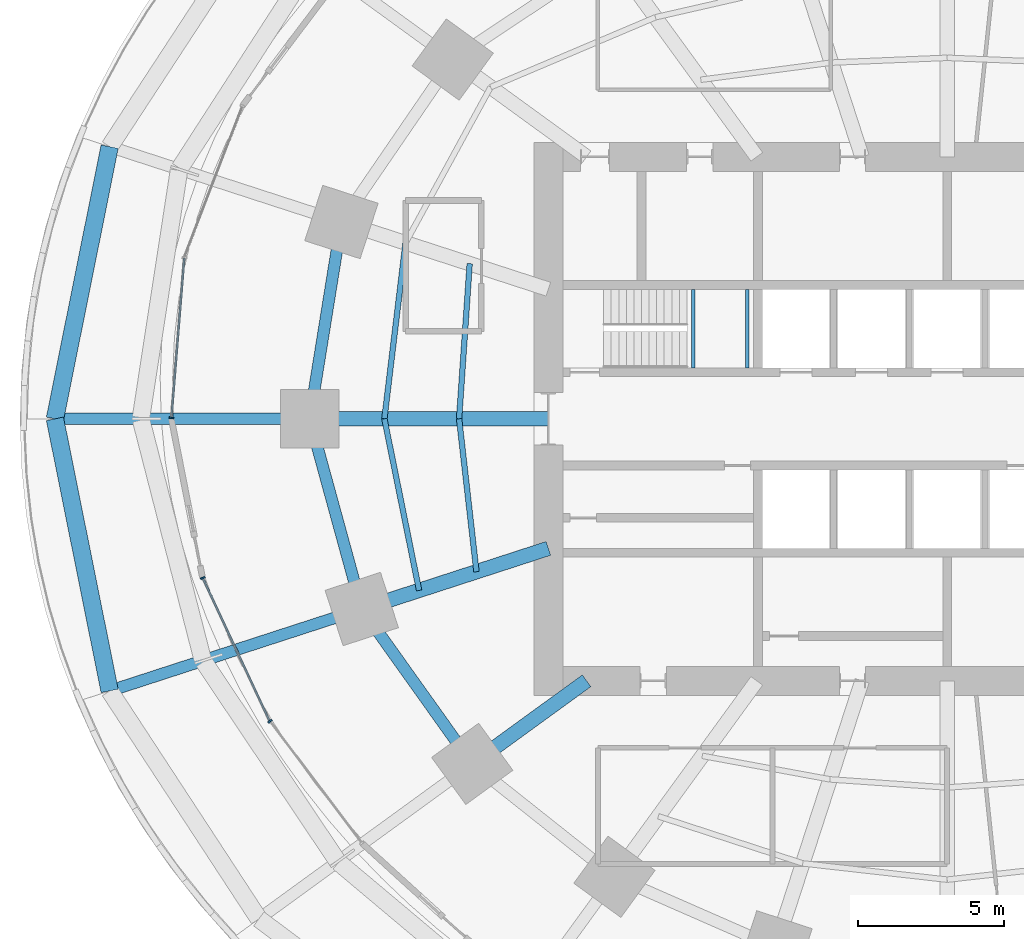
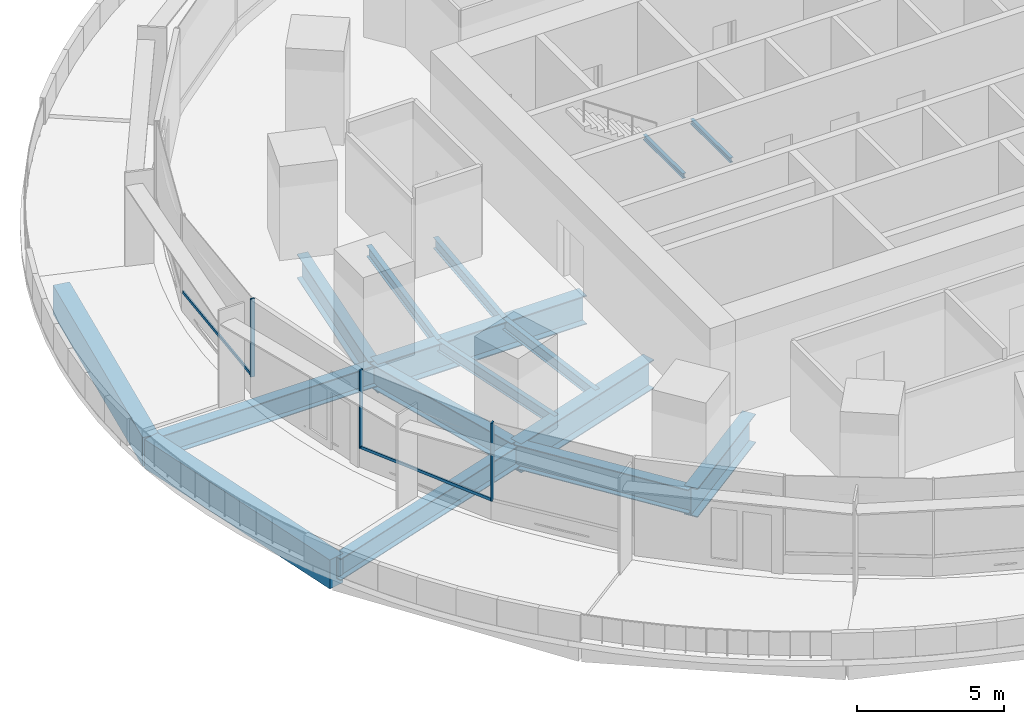
# One storey, part 3 of 20: 16 beams, 5 members, 2 elements without a shape of their own.
"""IFC4 building model written with IfcOpenShell, lengths in metres."""

from ifc_helpers import new_model, si_unit, direction, frame, origin, origin_2d, place, context, subcontext, project, spatial, rectangle, i_section, extrude, material, material_profile, profile_set, type_object, element, aggregate, save


model = new_model("IFC4")

# Units and contexts
model_context = context("Model", 3, precision=1e-05, world=origin(), true_north=direction((0.0, 1.0)))
body_context = subcontext(model_context, "Body", "Model", "MODEL_VIEW")
ifc_project = project(units=[si_unit("LENGTHUNIT", "METRE"), si_unit("AREAUNIT", "SQUARE_METRE"), si_unit("VOLUMEUNIT", "CUBIC_METRE"), si_unit("PLANEANGLEUNIT", "RADIAN"), si_unit("MASSUNIT", "GRAM", prefix="KILO")], contexts=[model_context])

# Site, building, storey
site_placement = place(None, origin())
site = spatial("IfcSite", under=ifc_project, at=site_placement, CompositionType="ELEMENT")
building_placement = place(site_placement, origin())
building = spatial("IfcBuilding", under=site, at=building_placement, Name="Marramba Exchange Tower", CompositionType="ELEMENT")
storey_placement = place(building_placement, frame((0.0, 0.0, 19.60009765625)))
storey = spatial("IfcBuildingStorey", under=building, at=storey_placement, Name="L04", CompositionType="ELEMENT", Elevation=19.60009765625)

# Beams
ifc_material_1 = material(Name="Concrete N50", Category="concrete")
ifc_material_profile_1 = material_profile(ifc_material_1, rectangle(XDim=0.60009765625, YDim=1.199951171875, at=origin_2d()), Name="RC 600x1200")
ifc_profile_set_1 = profile_set([ifc_material_profile_1], Name="Concrete N50")
beam_type_1 = type_object("IfcBeamType", Name="Edge beam RC 600x1200 N50", PredefinedType="SPANDREL", material=ifc_profile_set_1)
for number, where, z_axis, x_axis, name in (
    (1, (-28.770263671875, 9.34814453125, -0.85009765625), (-0.197125420847, -0.980378278246, 0.0), (0.980378278246, -0.197125420847, 0.0), "Edge beam L04 P3C10"),
    (2, (-30.64990234375, 0.0, -0.85009765625), (0.197125420847, -0.980378278246, 0.0), (0.980378278246, 0.197125420847, 0.0), "Edge beam L04 P3C11"),
):
    element("IfcBeam", number, at=place(storey_placement, frame(where, z_axis=z_axis, x_axis=x_axis)), inside=storey, type_object=beam_type_1, Name=name, PredefinedType="SPANDREL", context=body_context, shape_type="SweptSolid", body=[
        extrude(rectangle(XDim=0.60009765625, YDim=1.199951171875, at=origin_2d()), origin(), (0.0, 0.0, 1.0), 9.53515625),
    ])
ifc_material_2 = material(Name="Steel AS/NZS 3679.1 grade 300", Category="steel")
ifc_material_profile_2 = material_profile(ifc_material_2, i_section(OverallWidth=0.18994140625, OverallDepth=0.4541015625, WebThickness=0.008544921875, FlangeThickness=0.0126953125, FilletRadius=0.011474609375, at=origin_2d()), Name="460UB67.1")
ifc_profile_set_2 = profile_set([ifc_material_profile_2], Name="Steel AS/NZS 3679.1 grade 300")
beam_type_2 = type_object("IfcBeamType", Name="Floor joist 460UB67.1", PredefinedType="JOIST", material=ifc_profile_set_2)
beam_1_placement = place(storey_placement, frame((-16.40283203125, 5.32958984375, -0.427001953125), z_axis=(-0.068096259546, -0.99767875563, 0.0), x_axis=(0.99767875563, -0.068096259546, 0.0)))
element("IfcBeam", 3, at=beam_1_placement, inside=storey, type_object=beam_type_2, Name="Joist L04 bay 10 row 1", PredefinedType="JOIST", context=body_context, shape_type="SweptSolid", body=[
    extrude(i_section(OverallWidth=0.18994140625, OverallDepth=0.4541015625, WebThickness=0.008544921875, FlangeThickness=0.0126953125, FilletRadius=0.011474609375, at=origin_2d()), origin(), (0.0, 0.0, 1.0), 5.342041015625),
])
beam_2_placement = place(storey_placement, frame((-18.60546875, 6.04541015625, -0.427001953125), z_axis=(-0.119523078538, -0.992831422597, 0.0), x_axis=(0.992831422597, -0.119523078538, 0.0)))
element("IfcBeam", 4, at=beam_2_placement, inside=storey, type_object=beam_type_2, Name="Joist L04 bay 10 row 2", PredefinedType="JOIST", context=body_context, shape_type="SweptSolid", body=[
    extrude(i_section(OverallWidth=0.18994140625, OverallDepth=0.4541015625, WebThickness=0.008544921875, FlangeThickness=0.0126953125, FilletRadius=0.011474609375, at=origin_2d()), origin(), (0.0, 0.0, 1.0), 6.089111328125),
])
beam_3_placement = place(storey_placement, frame((-16.7666015625, 0.0, -0.427001953125), z_axis=(0.112888968594, -0.993607609054, 0.0), x_axis=(0.993607609054, 0.112888968594, 0.0)))
element("IfcBeam", 5, at=beam_3_placement, inside=storey, type_object=beam_type_2, Name="Joist L04 bay 11 row 1", PredefinedType="JOIST", context=body_context, shape_type="SweptSolid", body=[
    extrude(i_section(OverallWidth=0.18994140625, OverallDepth=0.4541015625, WebThickness=0.008544921875, FlangeThickness=0.0126953125, FilletRadius=0.011474609375, at=origin_2d()), origin(), (0.0, 0.0, 1.0), 5.28759765625),
])
beam_4_placement = place(storey_placement, frame((-19.333251953125, 0.0, -0.427001953125), z_axis=(0.198489047047, -0.980103105904, 0.0), x_axis=(0.980103105904, 0.198489047047, 0.0)))
element("IfcBeam", 6, at=beam_4_placement, inside=storey, type_object=beam_type_2, Name="Joist L04 bay 11 row 2", PredefinedType="JOIST", context=body_context, shape_type="SweptSolid", body=[
    extrude(i_section(OverallWidth=0.18994140625, OverallDepth=0.4541015625, WebThickness=0.008544921875, FlangeThickness=0.0126953125, FilletRadius=0.011474609375, at=origin_2d()), origin(), (0.0, 0.0, 1.0), 6.013427734375),
])
ifc_material_3 = material(Name="Steel AS/NZS 3679.2 grade 300", Category="steel")
ifc_material_profile_3 = material_profile(ifc_material_3, i_section(OverallWidth=0.5, OverallDepth=1.199951171875, WebThickness=0.01611328125, FlangeThickness=0.0400390625, at=origin_2d()), Name="1200WB455")
ifc_profile_set_3 = profile_set([ifc_material_profile_3], Name="Steel AS/NZS 3679.2 grade 300")
beam_type_3 = type_object("IfcBeamType", Name="Radial girder 1200WB455", PredefinedType="BEAM", material=ifc_profile_set_3)
beam_5_placement = place(storey_placement, frame((-13.699951171875, 0.0, -0.800048828125), z_axis=(-1.0, 0.0, 0.0), x_axis=(0.0, -1.0, 0.0)))
element("IfcBeam", 7, at=beam_5_placement, inside=storey, type_object=beam_type_3, Name="Radial girder L04 TC11", PredefinedType="BEAM", context=body_context, shape_type="SweptSolid", body=[
    extrude(i_section(OverallWidth=0.5, OverallDepth=1.199951171875, WebThickness=0.01611328125, FlangeThickness=0.0400390625, at=origin_2d()), origin(), (0.0, 0.0, 1.0), 8.199951171875),
])
beam_6_placement = place(storey_placement, frame((-13.699951171875, -4.451416015625, -0.800048828125), z_axis=(-0.951057759669, -0.309013167637, 0.0), x_axis=(0.309013167637, -0.951057759669, 0.0)))
element("IfcBeam", 8, at=beam_6_placement, inside=storey, type_object=beam_type_3, Name="Radial girder L04 TC12", PredefinedType="BEAM", context=body_context, shape_type="SweptSolid", body=[
    extrude(i_section(OverallWidth=0.5, OverallDepth=1.199951171875, WebThickness=0.01611328125, FlangeThickness=0.0400390625, at=origin_2d()), origin(), (0.0, 0.0, 1.0), 6.7392578125),
])
beam_7_placement = place(storey_placement, frame((-12.387451171875, -9.0, -0.800048828125), z_axis=(-0.809025189606, -0.58777397236, 0.0), x_axis=(0.58777397236, -0.809025189606, 0.0)))
element("IfcBeam", 9, at=beam_7_placement, inside=storey, type_object=beam_type_3, Name="Radial girder L04 TC13", PredefinedType="BEAM", context=body_context, shape_type="SweptSolid", body=[
    extrude(i_section(OverallWidth=0.5, OverallDepth=1.199951171875, WebThickness=0.01611328125, FlangeThickness=0.0400390625, at=origin_2d()), origin(), (0.0, 0.0, 1.0), 4.855224609375),
])
ifc_material_profile_4 = material_profile(ifc_material_3, i_section(OverallWidth=0.39990234375, OverallDepth=0.89990234375, WebThickness=0.01611328125, FlangeThickness=0.031982421875, at=origin_2d()), Name="900WB282")
ifc_profile_set_4 = profile_set([ifc_material_profile_4], Name="Steel AS/NZS 3679.2 grade 300")
beam_type_4 = type_object("IfcBeamType", Name="Radial girder 900WB282", PredefinedType="BEAM", material=ifc_profile_set_4)
beam_8_placement = place(storey_placement, frame((-30.64990234375, 0.0, -0.7001953125), z_axis=(1.0, 0.0, 0.0), x_axis=(0.0, 1.0, 0.0)))
element("IfcBeam", 10, at=beam_8_placement, inside=storey, type_object=beam_type_4, Name="Radial girder L04 P3C11", PredefinedType="BEAM", context=body_context, shape_type="SweptSolid", body=[
    extrude(i_section(OverallWidth=0.39990234375, OverallDepth=0.89990234375, WebThickness=0.01611328125, FlangeThickness=0.031982421875, at=origin_2d()), origin(), (0.0, 0.0, 1.0), 8.75),
])
beam_9_placement = place(storey_placement, frame((-28.770263671875, -9.34814453125, -0.7001953125), z_axis=(0.951052783345, 0.309028482977, 0.0), x_axis=(-0.309028482977, 0.951052783345, 0.0)))
element("IfcBeam", 11, at=beam_9_placement, inside=storey, type_object=beam_type_4, Name="Radial girder L04 P3C12", PredefinedType="BEAM", context=body_context, shape_type="SweptSolid", body=[
    extrude(i_section(OverallWidth=0.39990234375, OverallDepth=0.89990234375, WebThickness=0.01611328125, FlangeThickness=0.031982421875, at=origin_2d()), origin(), (0.0, 0.0, 1.0), 9.106689453125),
])
ifc_material_profile_5 = material_profile(ifc_material_3, i_section(OverallWidth=0.39990234375, OverallDepth=1.0, WebThickness=0.01611328125, FlangeThickness=0.031982421875, at=origin_2d()), Name="1000WB322")
ifc_profile_set_5 = profile_set([ifc_material_profile_5], Name="Steel AS/NZS 3679.2 grade 300")
beam_type_5 = type_object("IfcBeamType", Name="Ring beam 1000WB322", PredefinedType="SPANDREL", material=ifc_profile_set_5)
beam_10_placement = place(storey_placement, frame((-20.808349609375, 6.760986328125, -0.7001953125), z_axis=(-0.159384865399, -0.987216523708, 0.0), x_axis=(0.987216523708, -0.159384865399, 0.0)))
element("IfcBeam", 12, at=beam_10_placement, inside=storey, type_object=beam_type_5, Name="Ring beam L04 TC10-TC11", PredefinedType="SPANDREL", context=body_context, shape_type="SweptSolid", body=[
    extrude(i_section(OverallWidth=0.39990234375, OverallDepth=1.0, WebThickness=0.01611328125, FlangeThickness=0.031982421875, at=origin_2d()), origin(), (0.0, 0.0, 1.0), 6.8486328125),
])
beam_11_placement = place(storey_placement, frame((-21.89990234375, 0.0, -0.7001953125), z_axis=(0.264291166956, -0.964442937176, 0.0), x_axis=(0.964442937176, 0.264291166956, 0.0)))
element("IfcBeam", 13, at=beam_11_placement, inside=storey, type_object=beam_type_5, Name="Ring beam L04 TC11-TC12", PredefinedType="SPANDREL", context=body_context, shape_type="SweptSolid", body=[
    extrude(i_section(OverallWidth=0.39990234375, OverallDepth=1.0, WebThickness=0.01611328125, FlangeThickness=0.031982421875, at=origin_2d()), origin(), (0.0, 0.0, 1.0), 6.77490234375),
])
beam_12_placement = place(storey_placement, frame((-20.109375, -6.533935546875, -0.7001953125), z_axis=(0.580637181111, -0.814162430914, 0.0), x_axis=(0.814162430914, 0.580637181111, 0.0)))
element("IfcBeam", 14, at=beam_12_placement, inside=storey, type_object=beam_type_5, Name="Ring beam L04 TC12-TC13", PredefinedType="SPANDREL", context=body_context, shape_type="SweptSolid", body=[
    extrude(i_section(OverallWidth=0.39990234375, OverallDepth=1.0, WebThickness=0.01611328125, FlangeThickness=0.031982421875, at=origin_2d()), origin(), (0.0, 0.0, 1.0), 6.5341796875),
])
ifc_material_profile_6 = material_profile(ifc_material_2, i_section(OverallWidth=0.133056640625, OverallDepth=0.202880859375, WebThickness=0.005859375, FlangeThickness=0.0078125, FilletRadius=0.0087890625, at=origin_2d()), Name="200UB25.4")
ifc_profile_set_6 = profile_set([ifc_material_profile_6], Name="Steel AS/NZS 3679.1 grade 300")
beam_type_6 = type_object("IfcBeamType", Name="Stair landing beam 200UB25.4", PredefinedType="BEAM", material=ifc_profile_set_6)
for number, where, z_axis, x_axis, name in (
    (15, (-8.723388671875, 1.75, 1.79833984375), (0.0, 1.0, 0.0), (-1.0, 0.0, 0.0), "Stair landing beam SLB1 ST1 L04 1"),
    (16, (-6.866455078125, 1.75, 1.79833984375), (0.0, 1.0, 0.0), (-1.0, 0.0, 0.0), "Stair landing beam SLB1 ST1 L04 2"),
):
    element("IfcBeam", number, at=place(storey_placement, frame(where, z_axis=z_axis, x_axis=x_axis)), inside=storey, type_object=beam_type_6, Name=name, PredefinedType="BEAM", context=body_context, shape_type="SweptSolid", body=[
        extrude(i_section(OverallWidth=0.133056640625, OverallDepth=0.202880859375, WebThickness=0.005859375, FlangeThickness=0.0078125, FilletRadius=0.0087890625, at=origin_2d()), origin(), (0.0, 0.0, 1.0), 2.699951171875),
    ])

# Curtain wall, member
ifc_material_4 = material(Name="Aluminium framing, bronze anodised", Category="aluminium")
curtain_wall_type = type_object("IfcCurtainWallType", Name="Trading floor ribbon curtain wall", PredefinedType="USERDEFINED", material=ifc_material_4)
curtain_wall_1_placement = place(storey_placement, origin())
curtain_wall_1 = element("IfcCurtainWall", 17, at=curtain_wall_1_placement, inside=storey, type_object=curtain_wall_type, Name="Curtain wall CW3 L04 F14-F15", ObjectType="RIBBON CURTAIN WALL", PredefinedType="USERDEFINED")
ifc_material_5 = material(Name="Aluminium mullion, bronze anodised", Category="aluminium")
ifc_material_profile_7 = material_profile(ifc_material_5, rectangle(XDim=0.159912109375, YDim=0.06005859375, at=origin_2d()), Name="CW3 mullion 60x160")
ifc_profile_set_7 = profile_set([ifc_material_profile_7], Name="Aluminium mullion, bronze anodised")
member_type_1 = type_object("IfcMemberType", Name="Trading floor ribbon curtain wall mullion", PredefinedType="MULLION", material=ifc_profile_set_7)
member_1_placement = place(storey_placement, frame((-26.647705078125, 0.02978515625, 0.7998046875), z_axis=(0.0, 0.0, 1.0), x_axis=(0.996772736434, -0.080275225953, 0.0)))
member_1 = element("IfcMember", 18, at=member_1_placement, type_object=member_type_1, Name="CW3 mullion 2", PredefinedType="MULLION", context=body_context, shape_type="SweptSolid", body=[
    extrude(rectangle(XDim=0.159912109375, YDim=0.06005859375, at=origin_2d()), origin(), (0.0, 0.0, 1.0), 3.239990234375),
])

# Curtain wall, members
curtain_wall_2_placement = place(storey_placement, origin())
curtain_wall_2 = element("IfcCurtainWall", 19, at=curtain_wall_2_placement, inside=storey, type_object=curtain_wall_type, Name="Curtain wall CW3 L04 F17-F18", ObjectType="RIBBON CURTAIN WALL", PredefinedType="USERDEFINED")
member_2_placement = place(storey_placement, frame((-25.572021484375, -5.46533203125, 0.7998046875), z_axis=(0.0, 0.0, 1.0), x_axis=(0.905906758768, 0.423477206492, 0.0)))
member_2 = element("IfcMember", 20, at=member_2_placement, type_object=member_type_1, Name="CW3 mullion 1", PredefinedType="MULLION", context=body_context, shape_type="SweptSolid", body=[
    extrude(rectangle(XDim=0.159912109375, YDim=0.06005859375, at=origin_2d()), origin(), (0.0, 0.0, 1.0), 3.239990234375),
])
member_3_placement = place(storey_placement, frame((-23.26318359375, -10.389404296875, 0.7998046875), z_axis=(0.0, 0.0, 1.0), x_axis=(0.797710591138, 0.603040473588, 0.0)))
member_3 = element("IfcMember", 21, at=member_3_placement, type_object=member_type_1, Name="CW3 mullion 1", PredefinedType="MULLION", context=body_context, shape_type="SweptSolid", body=[
    extrude(rectangle(XDim=0.159912109375, YDim=0.06005859375, at=origin_2d()), origin(), (0.0, 0.0, 1.0), 3.239990234375),
])

# Member
ifc_material_6 = material(Name="Aluminium transom, bronze anodised", Category="aluminium")
ifc_material_profile_8 = material_profile(ifc_material_6, rectangle(XDim=0.06005859375, YDim=0.1201171875, at=origin_2d()), Name="CW3 transom 60x120")
ifc_profile_set_8 = profile_set([ifc_material_profile_8], Name="Aluminium transom, bronze anodised")
member_type_2 = type_object("IfcMemberType", Name="Trading floor ribbon curtain wall transom", PredefinedType="USERDEFINED", material=ifc_profile_set_8)
member_4_placement = place(storey_placement, frame((-26.206298828125, 5.509521484375, 0.829833984375), z_axis=(-0.080288302413, -0.996771683233, 0.0), x_axis=(0.996771683233, -0.080288302413, 0.0)))
member_4 = element("IfcMember", 22, at=member_4_placement, type_object=member_type_2, Name="CW3 sill transom", ObjectType="TRANSOM", PredefinedType="USERDEFINED", context=body_context, shape_type="SweptSolid", body=[
    extrude(rectangle(XDim=0.06005859375, YDim=0.1201171875, at=origin_2d()), origin(), (0.0, 0.0, 1.0), 5.46728515625),
])

aggregate(curtain_wall_1, [member_1, member_4])

member_5_placement = place(storey_placement, frame((-25.559326171875, -5.492431640625, 0.829833984375), z_axis=(0.423494101671, -0.905898860718, 0.0), x_axis=(0.905898860718, 0.423494101671, 0.0)))
member_5 = element("IfcMember", 23, at=member_5_placement, type_object=member_type_2, Name="CW3 sill transom", ObjectType="TRANSOM", PredefinedType="USERDEFINED", context=body_context, shape_type="SweptSolid", body=[
    extrude(rectangle(XDim=0.06005859375, YDim=0.1201171875, at=origin_2d()), origin(), (0.0, 0.0, 1.0), 5.379150390625),
])

aggregate(curtain_wall_2, [member_2, member_5, member_3])

save(model, "model.ifc")
